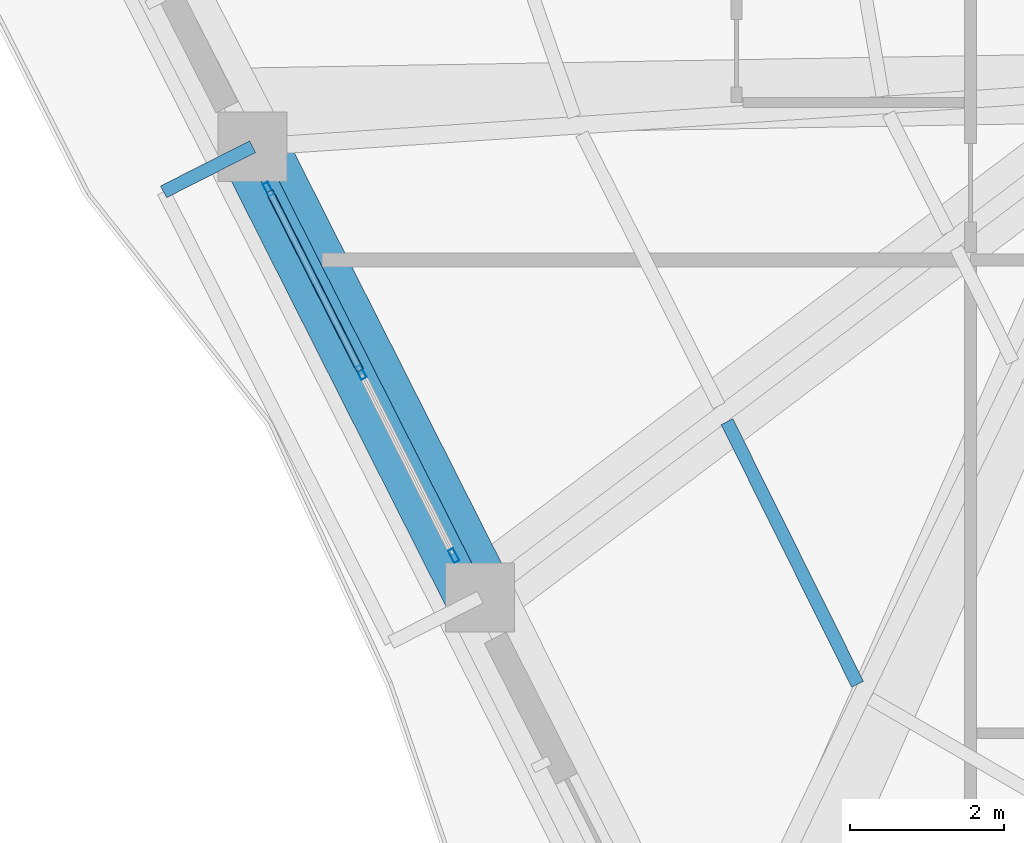
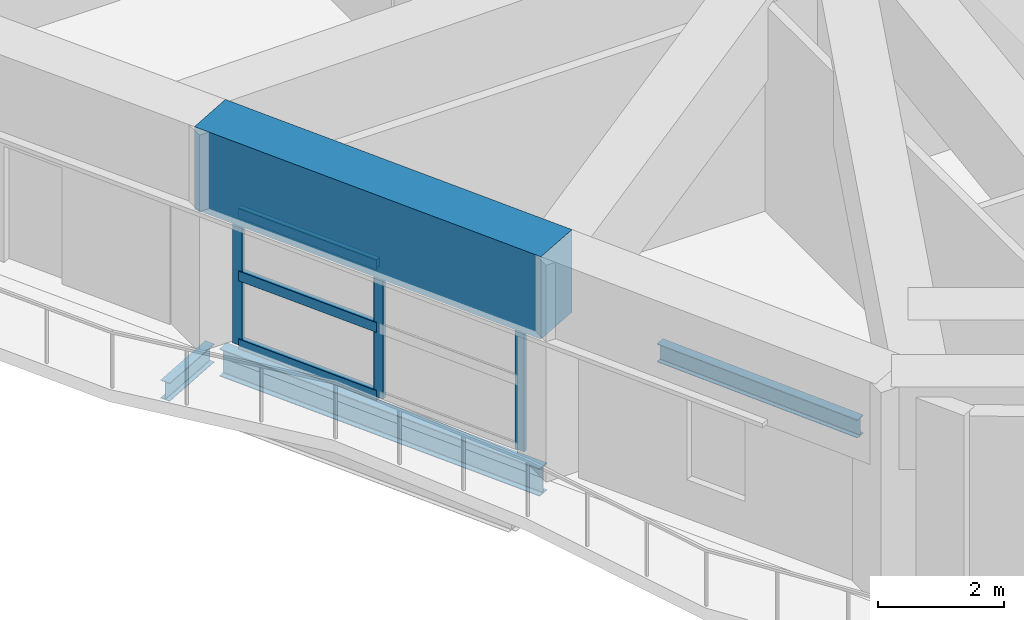
# One storey, part 2 of 20: 6 members, 4 beams, 1 element without a shape of its own.
"""IFC4 building model written with IfcOpenShell, lengths in metres."""

import ifcopenshell
import ifcopenshell.guid

model = None  # the IFC model being written
_history = None  # IfcOwnerHistory: only IFC2X3 demands one
_inside = {}  # id of a spatial element -> (the spatial element, [elements in it])
_under = {}  # id of a project, library or spatial element -> (it, [spatial elements below it])
_declared = {}  # id of a project -> (the project, [libraries it declares])
_typed = {}  # id of a type object -> (the type object, [elements of that type])
_made_of = {}  # id of a material, layer set ... -> (it, [elements and type objects made of it])


def new_model(schema):
    """Start an empty IFC model of exactly this schema.

    Asked for "IFC4X3", IfcOpenShell would pick the latest addendum, in which some entities
    have other attributes; the version numbers below select the first issue.
    IFC2X3 requires an IfcOwnerHistory on every rooted entity: one is made here for all.
    """
    global model, _history
    if schema == "IFC4X3":
        model = ifcopenshell.file(schema_version=(4, 3, 0, 0))
    else:
        model = ifcopenshell.file(schema=schema)
    _inside.clear()
    _under.clear()
    _declared.clear()
    _typed.clear()
    _made_of.clear()
    _history = None
    if model.schema == "IFC2X3":
        org = make("IfcOrganization", Name="unknown")
        user = make(
            "IfcPersonAndOrganization",
            ThePerson=make("IfcPerson", FamilyName="unknown"),
            TheOrganization=org,
        )
        app = make(
            "IfcApplication",
            ApplicationDeveloper=org,
            Version="unknown",
            ApplicationFullName="unknown",
            ApplicationIdentifier="unknown",
        )
        _history = make(
            "IfcOwnerHistory",
            OwningUser=user,
            OwningApplication=app,
            ChangeAction="ADDED",
            CreationDate=0,
        )
    return model


def make(cls, **values):
    """One entity of the class cls with the attributes given. An attribute that is None is left unset."""
    return model.create_entity(
        cls, **{name: value for name, value in values.items() if value is not None}
    )


def rooted(cls, **values):
    """An entity with a GlobalId (a new one), such as an element, a storey or a relation."""
    return make(cls, GlobalId=ifcopenshell.guid.new(), OwnerHistory=_history, **values)


def si_unit(unit_type, name, prefix=None):
    """IfcSIUnit, for example si_unit("LENGTHUNIT", "METRE", prefix="MILLI")."""
    return make("IfcSIUnit", UnitType=unit_type, Prefix=prefix, Name=name)


def assignment(units):
    """IfcUnitAssignment: the units of a project."""
    return None if units is None else make("IfcUnitAssignment", Units=units)


def point(xyz):
    """IfcCartesianPoint."""
    return None if xyz is None else make("IfcCartesianPoint", Coordinates=xyz)


def direction(xyz):
    """IfcDirection."""
    return None if xyz is None else make("IfcDirection", DirectionRatios=xyz)


def frame(location, z_axis=None, x_axis=None):
    """IfcAxis2Placement3D, a coordinate frame: its origin and axes. An axis left out is left unset."""
    return make(
        "IfcAxis2Placement3D",
        Location=point(location),
        Axis=direction(z_axis),
        RefDirection=direction(x_axis),
    )


def frame_2d(location, x_axis=None):
    """IfcAxis2Placement2D, a coordinate frame in the plane: its origin and x axis."""
    return make(
        "IfcAxis2Placement2D", Location=point(location), RefDirection=direction(x_axis)
    )


def origin():
    """The frame at (0, 0, 0) with its axes left unset."""
    return frame((0.0, 0.0, 0.0))


def origin_2d():
    """The frame at (0, 0) in the plane with its x axis left unset."""
    return frame_2d((0.0, 0.0))


def place(relative_to, where):
    """IfcLocalPlacement: puts the frame where relative to a parent placement (None: the world)."""
    return make(
        "IfcLocalPlacement", PlacementRelTo=relative_to, RelativePlacement=where
    )


def context(
    kind, dimensions, precision=None, world=None, true_north=None, identifier=None
):
    """IfcGeometricRepresentationContext, for example the 3D "Model" context."""
    return make(
        "IfcGeometricRepresentationContext",
        ContextIdentifier=identifier,
        ContextType=kind,
        CoordinateSpaceDimension=dimensions,
        Precision=precision,
        WorldCoordinateSystem=world,
        TrueNorth=true_north,
    )


def subcontext(parent, identifier, kind, view, scale=None):
    """IfcGeometricRepresentationSubContext, for example "Body" below "Model"."""
    return make(
        "IfcGeometricRepresentationSubContext",
        ContextIdentifier=identifier,
        ContextType=kind,
        ParentContext=parent,
        TargetScale=scale,
        TargetView=view,
    )


def project(units=None, contexts=None):
    """IfcProject with its units and contexts."""
    return rooted(
        "IfcProject",
        Name="project",
        RepresentationContexts=contexts,
        UnitsInContext=assignment(units),
    )


def spatial(cls, under=None, at=None, **own):
    """A site, building, storey or space (cls), placed at a placement, below another one or the project."""
    s = rooted(cls, ObjectPlacement=at, **own)
    if under is not None:
        _under.setdefault(under.id(), (under, []))[1].append(s)
    return s


def profile(cls, at=None, kind="AREA", **sizes):
    """A parametric profile (cls). Its sizes go by their IFC names, for example OverallWidth=200.0."""
    return make(cls, ProfileType=kind, Position=at, **sizes)


def rectangle(**sizes):
    """IfcRectangleProfileDef."""
    return profile("IfcRectangleProfileDef", **sizes)


def hollow_rectangle(**sizes):
    """IfcRectangleHollowProfileDef."""
    return profile("IfcRectangleHollowProfileDef", **sizes)


def i_section(**sizes):
    """IfcIShapeProfileDef."""
    return profile("IfcIShapeProfileDef", **sizes)


def extrude(swept, where, along, depth):
    """IfcExtrudedAreaSolid: the profile swept, set in the frame where, extruded along a direction by depth."""
    return make(
        "IfcExtrudedAreaSolid",
        SweptArea=swept,
        Position=where,
        ExtrudedDirection=direction(along),
        Depth=depth,
    )


def shape(context_of_items, identifier, shape_type, items):
    """IfcShapeRepresentation: the items that make up one representation, for example the "Body"."""
    return make(
        "IfcShapeRepresentation",
        ContextOfItems=context_of_items,
        RepresentationIdentifier=identifier,
        RepresentationType=shape_type,
        Items=items,
    )


def material(Name=None, Category=None):
    """IfcMaterial."""
    return make("IfcMaterial", Name=Name, Category=Category)


def layer(
    of_material, thickness, ventilated=None, Name=None, Category=None, Priority=None
):
    """IfcMaterialLayer: one layer of a wall or slab, of a material (None: an air gap)."""
    return make(
        "IfcMaterialLayer",
        Material=of_material,
        LayerThickness=thickness,
        IsVentilated=ventilated,
        Name=Name,
        Category=Category,
        Priority=Priority,
    )


def layer_set(layers, Name=None):
    """IfcMaterialLayerSet."""
    return make("IfcMaterialLayerSet", MaterialLayers=layers, LayerSetName=Name)


def material_profile(
    of_material, cross_section, Name=None, Category=None, Priority=None
):
    """IfcMaterialProfile: a cross section and its material."""
    return make(
        "IfcMaterialProfile",
        Name=Name,
        Material=of_material,
        Profile=cross_section,
        Priority=Priority,
        Category=Category,
    )


def profile_set(profiles, Name=None, composite=None):
    """IfcMaterialProfileSet."""
    return make(
        "IfcMaterialProfileSet",
        Name=Name,
        MaterialProfiles=profiles,
        CompositeProfile=composite,
    )


def made_of(thing, what):
    """Note that an element or type object is made of a material, layer set ...; save() writes the relation."""
    if what is not None:
        _made_of.setdefault(what.id(), (what, []))[1].append(thing)
    return thing


def type_object(cls, material=None, **own):
    """A type object (cls), such as IfcWallType, which elements share."""
    return made_of(rooted(cls, **own), material)


def element(
    cls,
    number,
    at=None,
    inside=None,
    cuts=None,
    type_object=None,
    material=None,
    context=None,
    identifier="Body",
    shape_type=None,
    held_by="IfcProductDefinitionShape",
    body=None,
    shapes=None,
    **own,
):
    """One element of the class cls, such as IfcWall. Its Tag is "e" and its number.

    at: its placement. inside: the storey or other place that contains it. cuts: it is an
    opening in that element (IfcRelVoidsElement). A single representation is given by context,
    identifier, shape_type and body (its items); several are given by shapes. held_by: the class
    of the entity that holds the representations. save() writes the other relations.
    """
    e = rooted(cls, Tag="e%d" % number, ObjectPlacement=at, **own)
    if body is not None:
        shapes = [shape(context, identifier, shape_type, body)]
    if shapes is not None:
        e.Representation = make(held_by, Representations=shapes)
    if inside is not None:
        _inside.setdefault(inside.id(), (inside, []))[1].append(e)
    if cuts is not None:
        rooted(
            "IfcRelVoidsElement", RelatingBuildingElement=cuts, RelatedOpeningElement=e
        )
    if type_object is not None:
        _typed.setdefault(type_object.id(), (type_object, []))[1].append(e)
    return made_of(e, material)


def aggregate(whole, parts):
    """IfcRelAggregates: a whole, such as a stair, and the parts it consists of."""
    return rooted("IfcRelAggregates", RelatingObject=whole, RelatedObjects=parts)


def save(model, path):
    """Write the relations noted so far, then the file.

    IfcRelAggregates (storeys below a building ...), IfcRelContainedInSpatialStructure (elements
    in a storey), IfcRelDefinesByType, IfcRelAssociatesMaterial and IfcRelDeclares: one each for
    every whole, place, type object, material and project.
    """
    for whole, parts in _under.values():
        aggregate(whole, parts)
    for where, things in _inside.values():
        rooted(
            "IfcRelContainedInSpatialStructure",
            RelatedElements=things,
            RelatingStructure=where,
        )
    for kind, things in _typed.values():
        rooted("IfcRelDefinesByType", RelatedObjects=things, RelatingType=kind)
    for what, things in _made_of.values():
        rooted("IfcRelAssociatesMaterial", RelatedObjects=things, RelatingMaterial=what)
    for by, libraries in _declared.values():
        rooted("IfcRelDeclares", RelatingContext=by, RelatedDefinitions=libraries)
    model.write(path)


model = new_model("IFC4")

# Units and contexts
model_context = context("Model", 3, precision=1e-05, world=origin(), true_north=direction((0.0, 1.0)))
body_context = subcontext(model_context, "Body", "Model", "MODEL_VIEW")
ifc_project = project(units=[si_unit("LENGTHUNIT", "METRE"), si_unit("AREAUNIT", "SQUARE_METRE"), si_unit("VOLUMEUNIT", "CUBIC_METRE"), si_unit("PLANEANGLEUNIT", "RADIAN"), si_unit("MASSUNIT", "GRAM", prefix="KILO")], contexts=[model_context])

# Site, building, storey
site_placement = place(None, origin())
site = spatial("IfcSite", under=ifc_project, at=site_placement, CompositionType="ELEMENT")
building_placement = place(site_placement, origin())
building = spatial("IfcBuilding", under=site, at=building_placement, Name="Cinnabar Lancet Tower", CompositionType="ELEMENT")
storey_placement = place(building_placement, frame((0.0, 0.0, 167.699951171875)))
storey = spatial("IfcBuildingStorey", under=building, at=storey_placement, Name="L44", CompositionType="ELEMENT", Elevation=167.699951171875)

# Curtain wall, members
ifc_material_1 = material(Name="Thermally broken bronze-anodized aluminium and low-E glass", Category="aluminium")
ifc_layer = layer(ifc_material_1, 0.179931640625)
ifc_layer_set = layer_set([ifc_layer], Name="Thermally broken bronze-anodized aluminium and low-E glass")
curtain_wall_type = type_object("IfcCurtainWallType", Name="ENV-CW-SYS-03", PredefinedType="NOTDEFINED", material=ifc_layer_set)
curtain_wall_placement = place(storey_placement, origin())
curtain_wall = element("IfcCurtainWall", 1, at=curtain_wall_placement, inside=storey, type_object=curtain_wall_type, Name="L44 Face 6 Feature Curtain Wall", PredefinedType="NOTDEFINED")
ifc_material_2 = material(Name="Anodized architectural aluminium 6063-T6", Category="aluminium")
ifc_material_profile_1 = material_profile(ifc_material_2, hollow_rectangle(XDim=0.074951171875, YDim=0.179931640625, WallThickness=0.00390625, InnerFilletRadius=0.001953125, OuterFilletRadius=0.006103515625, at=origin_2d()), Name="CW-MUL 180x75x4")
ifc_profile_set_1 = profile_set([ifc_material_profile_1], Name="Anodized architectural aluminium 6063-T6")
member_type_1 = type_object("IfcMemberType", Name="ENV-CW-MUL-180", PredefinedType="MULLION", material=ifc_profile_set_1)
member_1_placement = place(storey_placement, frame((11.553466796875, 17.271240234375, 0.0), z_axis=(0.0, 0.0, 1.0), x_axis=(0.892309878501, 0.451423394088, 0.0)))
member_1 = element("IfcMember", 2, at=member_1_placement, type_object=member_type_1, Name="CW-03 mullion 1", PredefinedType="MULLION", context=body_context, shape_type="SweptSolid", body=[
    extrude(hollow_rectangle(XDim=0.074951171875, YDim=0.179931640625, WallThickness=0.00390625, InnerFilletRadius=0.001953125, OuterFilletRadius=0.006103515625, at=origin_2d()), origin(), (0.0, 0.0, 1.0), 2.590087890625),
])
member_2_placement = place(storey_placement, frame((12.760986328125, 14.884521484375, 0.0), z_axis=(0.0, 0.0, 1.0), x_axis=(0.892309878501, 0.451423394088, 0.0)))
member_2 = element("IfcMember", 3, at=member_2_placement, type_object=member_type_1, Name="CW-03 mullion 2", PredefinedType="MULLION", context=body_context, shape_type="SweptSolid", body=[
    extrude(hollow_rectangle(XDim=0.074951171875, YDim=0.179931640625, WallThickness=0.00390625, InnerFilletRadius=0.001953125, OuterFilletRadius=0.006103515625, at=origin_2d()), origin(), (0.0, 0.0, 1.0), 2.590087890625),
])
member_3_placement = place(storey_placement, frame((13.968505859375, 12.497802734375, 0.0), z_axis=(0.0, 0.0, 1.0), x_axis=(0.892309878501, 0.451423394088, 0.0)))
member_3 = element("IfcMember", 4, at=member_3_placement, type_object=member_type_1, Name="CW-03 mullion 3", PredefinedType="MULLION", context=body_context, shape_type="SweptSolid", body=[
    extrude(hollow_rectangle(XDim=0.074951171875, YDim=0.179931640625, WallThickness=0.00390625, InnerFilletRadius=0.001953125, OuterFilletRadius=0.006103515625, at=origin_2d()), origin(), (0.0, 0.0, 1.0), 2.590087890625),
])
ifc_material_3 = material(Name="Anodized architectural aluminium 6063-T6", Category="aluminium")
ifc_material_profile_2 = material_profile(ifc_material_3, hollow_rectangle(XDim=0.10009765625, YDim=0.199951171875, WallThickness=0.008056640625, InnerFilletRadius=0.00390625, OuterFilletRadius=0.011962890625, at=origin_2d()), Name="RHS 200x100x8")
ifc_profile_set_2 = profile_set([ifc_material_profile_2], Name="Anodized architectural aluminium 6063-T6")
member_type_2 = type_object("IfcMemberType", Name="ENV-CW-TRN-140", PredefinedType="USERDEFINED", material=ifc_profile_set_2)
member_4_placement = place(storey_placement, frame((11.567138671875, 17.244384765625, 0.030029296875), z_axis=(0.451466411945, -0.89228811428, 0.0), x_axis=(0.89228811428, 0.451466411945, 0.0)))
member_4 = element("IfcMember", 5, at=member_4_placement, type_object=member_type_2, Name="CW-03 transom 1.1", ObjectType="TRANSOM", PredefinedType="USERDEFINED", context=body_context, shape_type="SweptSolid", body=[
    extrude(hollow_rectangle(XDim=0.10009765625, YDim=0.199951171875, WallThickness=0.008056640625, InnerFilletRadius=0.00390625, OuterFilletRadius=0.011962890625, at=origin_2d()), origin(), (0.0, 0.0, 1.0), 2.61474609375),
])
member_5_placement = place(storey_placement, frame((11.567138671875, 17.244384765625, 1.34716796875), z_axis=(0.451466411945, -0.89228811428, 0.0), x_axis=(0.89228811428, 0.451466411945, 0.0)))
member_5 = element("IfcMember", 6, at=member_5_placement, type_object=member_type_2, Name="CW-03 transom 1.2", ObjectType="TRANSOM", PredefinedType="USERDEFINED", context=body_context, shape_type="SweptSolid", body=[
    extrude(hollow_rectangle(XDim=0.10009765625, YDim=0.199951171875, WallThickness=0.008056640625, InnerFilletRadius=0.00390625, OuterFilletRadius=0.011962890625, at=origin_2d()), origin(), (0.0, 0.0, 1.0), 2.61474609375),
])
member_6_placement = place(storey_placement, frame((11.567138671875, 17.244384765625, 2.56005859375), z_axis=(0.451466411945, -0.89228811428, 0.0), x_axis=(0.89228811428, 0.451466411945, 0.0)))
member_6 = element("IfcMember", 7, at=member_6_placement, type_object=member_type_2, Name="CW-03 transom 1.3", ObjectType="TRANSOM", PredefinedType="USERDEFINED", context=body_context, shape_type="SweptSolid", body=[
    extrude(hollow_rectangle(XDim=0.10009765625, YDim=0.199951171875, WallThickness=0.008056640625, InnerFilletRadius=0.00390625, OuterFilletRadius=0.011962890625, at=origin_2d()), origin(), (0.0, 0.0, 1.0), 2.61474609375),
])
aggregate(curtain_wall, [member_1, member_2, member_3, member_4, member_5, member_6])

# Beams
ifc_material_4 = material(Name="Concrete C70/85", Category="concrete")
ifc_material_profile_3 = material_profile(ifc_material_4, rectangle(XDim=0.89990234375, YDim=1.60009765625, at=origin_2d()), Name="RC-BG 900x1600")
ifc_profile_set_3 = profile_set([ifc_material_profile_3], Name="Concrete C70/85")
beam_type_1 = type_object("IfcBeamType", Name="STR-BM-BG-1600", PredefinedType="BEAM", material=ifc_profile_set_3)
beam_1_placement = place(storey_placement, frame((11.347900390625, 17.823974609375, 3.400146484375), z_axis=(0.450700828166, -0.892675060417, 0.0), x_axis=(0.892675060417, 0.450700828166, 0.0)))
element("IfcBeam", 8, at=beam_1_placement, inside=storey, type_object=beam_type_1, Name="L45 Setback Outer Ring Girder 22", PredefinedType="BEAM", context=body_context, shape_type="SweptSolid", body=[
    extrude(rectangle(XDim=0.89990234375, YDim=1.60009765625, at=origin_2d()), origin(), (0.0, 0.0, 1.0), 6.574462890625),
])
ifc_material_5 = material(Name="Structural steel S355", Category="steel")
ifc_material_profile_4 = material_profile(ifc_material_5, i_section(OverallWidth=0.17138671875, OverallDepth=0.35498046875, WebThickness=0.00732421875, FlangeThickness=0.011474609375, FilletRadius=0.01025390625, at=origin_2d()), Name="UKB 356x171x51")
ifc_profile_set_4 = profile_set([ifc_material_profile_4], Name="Structural steel S355")
beam_type_2 = type_object("IfcBeamType", Name="STR-BM-JST-356", PredefinedType="JOIST", material=ifc_profile_set_4)
beam_2_placement = place(storey_placement, frame((17.527099609375, 14.242919921875, -0.387939453125), z_axis=(0.445320605596, -0.895371184611, 0.0), x_axis=(0.895371184611, 0.445320605596, 0.0)))
element("IfcBeam", 9, at=beam_2_placement, inside=storey, type_object=beam_type_2, Name="L44 Secondary Floor Joist 5", PredefinedType="JOIST", context=body_context, shape_type="SweptSolid", body=[
    extrude(i_section(OverallWidth=0.17138671875, OverallDepth=0.35498046875, WebThickness=0.00732421875, FlangeThickness=0.011474609375, FilletRadius=0.01025390625, at=origin_2d()), origin(), (0.0, 0.0, 1.0), 3.819580078125),
])
ifc_material_6 = material(Name="Structural steel S355", Category="steel")
ifc_material_profile_5 = material_profile(ifc_material_6, i_section(OverallWidth=0.209228515625, OverallDepth=0.533203125, WebThickness=0.010009765625, FlangeThickness=0.015625, FilletRadius=0.0126953125, at=origin_2d()), Name="UKB 533x210x92")
ifc_profile_set_5 = profile_set([ifc_material_profile_5], Name="Structural steel S355")
beam_type_3 = type_object("IfcBeamType", Name="STR-BM-SPN-533", PredefinedType="SPANDREL", material=ifc_profile_set_5)
beam_3_placement = place(storey_placement, frame((11.4609375, 17.60107421875, -0.47705078125), z_axis=(0.450570325924, -0.892740937449, 0.0), x_axis=(0.892740937449, 0.450570325924, 0.0)))
element("IfcBeam", 10, at=beam_3_placement, inside=storey, type_object=beam_type_3, Name="L44 Perimeter Spandrel 22", PredefinedType="SPANDREL", context=body_context, shape_type="SweptSolid", body=[
    extrude(i_section(OverallWidth=0.209228515625, OverallDepth=0.533203125, WebThickness=0.010009765625, FlangeThickness=0.015625, FilletRadius=0.0126953125, at=origin_2d()), origin(), (0.0, 0.0, 1.0), 6.07470703125),
])
ifc_material_7 = material(Name="Structural steel S355", Category="steel")
ifc_material_profile_6 = material_profile(ifc_material_7, i_section(OverallWidth=0.17138671875, OverallDepth=0.35498046875, WebThickness=0.00732421875, FlangeThickness=0.011474609375, FilletRadius=0.01025390625, at=origin_2d()), Name="UKB 356x171x51")
ifc_profile_set_6 = profile_set([ifc_material_profile_6], Name="Structural steel S355")
beam_type_4 = type_object("IfcBeamType", Name="STR-BM-WAV-OUT", PredefinedType="BEAM", material=ifc_profile_set_6)
beam_4_placement = place(storey_placement, frame((11.347900390625, 17.823974609375, -0.41796875), z_axis=(-0.89227592947, -0.451490493464, 0.0), x_axis=(0.451490493464, -0.89227592947, 0.0)))
element("IfcBeam", 11, at=beam_4_placement, inside=storey, type_object=beam_type_4, Name="L44 Face 6 Balcony Outlooker A", PredefinedType="BEAM", context=body_context, shape_type="SweptSolid", body=[
    extrude(i_section(OverallWidth=0.17138671875, OverallDepth=0.35498046875, WebThickness=0.00732421875, FlangeThickness=0.011474609375, FilletRadius=0.01025390625, at=origin_2d()), origin(), (0.0, 0.0, 1.0), 1.300048828125),
])

save(model, "model.ifc")
